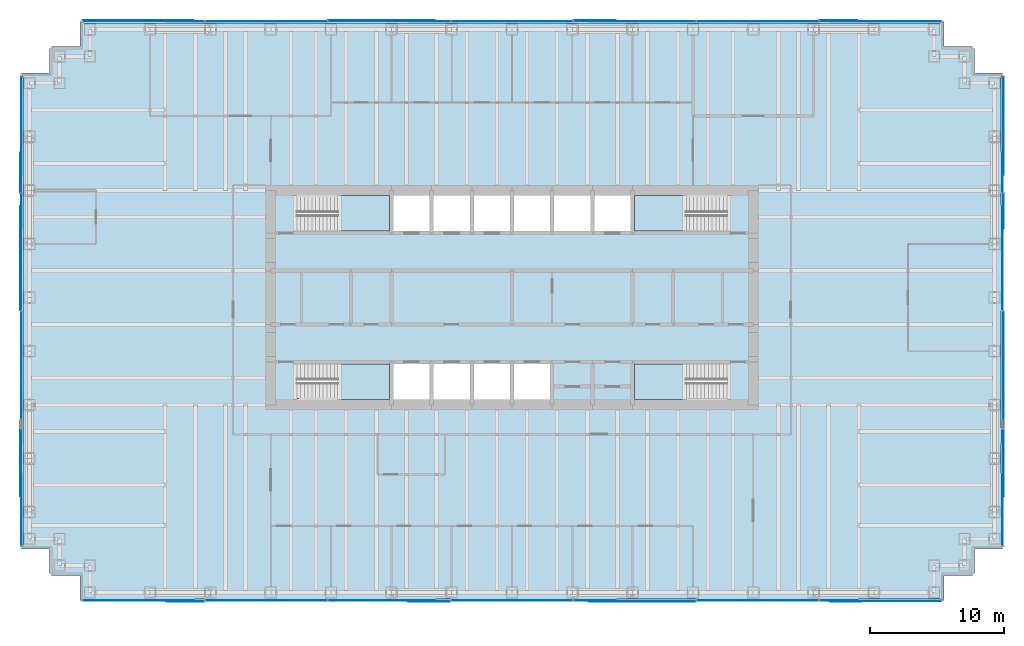
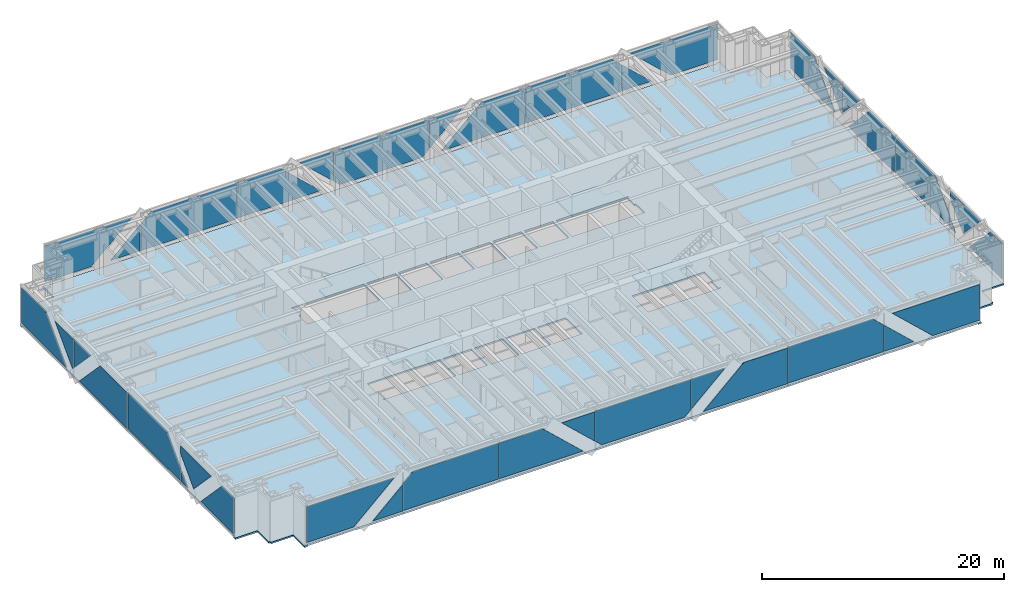
# One storey, part 10 of 17: 38 plates, 5 slabs, 8 elements without a shape of their own.
"""IFC4 building model written with IfcOpenShell, lengths in metres."""

from ifc_helpers import new_model, si_unit, direction, frame, origin, place, context, subcontext, project, spatial, polyline, outline, extrude, material, layer, layer_set, type_object, element, aggregate, save


model = new_model("IFC4")

# Units and contexts
model_context = context("Model", 3, precision=1e-05, world=origin(), true_north=direction((0.0, 1.0)))
body_context = subcontext(model_context, "Body", "Model", "MODEL_VIEW")
ifc_project = project(units=[si_unit("LENGTHUNIT", "METRE"), si_unit("AREAUNIT", "SQUARE_METRE"), si_unit("VOLUMEUNIT", "CUBIC_METRE"), si_unit("PLANEANGLEUNIT", "RADIAN"), si_unit("MASSUNIT", "GRAM", prefix="KILO")], contexts=[model_context])

# Site, building, storey
site_placement = place(None, origin())
site = spatial("IfcSite", under=ifc_project, at=site_placement, CompositionType="ELEMENT")
building_placement = place(site_placement, origin())
building = spatial("IfcBuilding", under=site, at=building_placement, Name="Rheinbord Bourse Tower", CompositionType="ELEMENT")
storey_placement = place(building_placement, frame((0.0, 0.0, 190.0)))
storey = spatial("IfcBuildingStorey", under=building, at=storey_placement, Name="L42", CompositionType="ELEMENT", Elevation=190.0)

# Slab
ifc_material_1 = material(Name="Concrete C30/37", Category="concrete")
ifc_layer_1 = layer(ifc_material_1, 0.159912109375)
ifc_layer_set_1 = layer_set([ifc_layer_1], Name="COMPOSITE FLOOR SLAB 160")
slab_type_1 = type_object("IfcSlabType", Name="COMPOSITE FLOOR SLAB 160", PredefinedType="FLOOR", material=ifc_layer_set_1)
slab_1_placement = place(storey_placement, frame((0.0, 0.0, -0.159912109375)))
element("IfcSlab", 1, at=slab_1_placement, inside=storey, type_object=slab_type_1, Name="Floor slab L42", PredefinedType="FLOOR", context=body_context, shape_type="SweptSolid", body=[
    extrude(outline(polyline([(1.64990234375, 3.39990234375), (1.5, 3.39990234375), (1.5, 5.25), (-0.60009765625, 5.25), (-0.60009765625, 5.550048828125), (-0.5, 5.550048828125), (-0.5, 40.449951171875), (-0.60009765625, 40.449951171875), (-0.60009765625, 40.75), (1.5, 40.75), (1.5, 42.60009765625), (1.64990234375, 42.60009765625), (1.64990234375, 42.75), (3.75, 42.75), (3.75, 44.60009765625), (4.050048828125, 44.60009765625), (4.050048828125, 44.5), (67.949951171875, 44.5), (67.949951171875, 44.60009765625), (68.25, 44.60009765625), (68.25, 42.75), (70.35009765625, 42.75), (70.35009765625, 42.60009765625), (70.5, 42.60009765625), (70.5, 40.75), (72.60009765625, 40.75), (72.60009765625, 40.449951171875), (72.5, 40.449951171875), (72.5, 5.550048828125), (72.60009765625, 5.550048828125), (72.60009765625, 5.25), (70.5, 5.25), (70.5, 3.39990234375), (70.35009765625, 3.39990234375), (70.35009765625, 3.25), (68.25, 3.25), (68.25, 1.39990234375), (67.949951171875, 1.39990234375), (67.949951171875, 1.5), (4.050048828125, 1.5), (4.050048828125, 1.39990234375), (3.75, 1.39990234375), (3.75, 3.25), (1.64990234375, 3.25), (1.64990234375, 3.39990234375)]), holes=[polyline([(19.949951171875, 19.050048828125), (26.85009765625, 19.050048828125), (26.85009765625, 16.39990234375), (19.949951171875, 16.39990234375), (19.949951171875, 16.449951171875), (20.10009765625, 16.449951171875), (20.10009765625, 17.64990234375), (19.949951171875, 17.64990234375), (19.949951171875, 19.050048828125)]), polyline([(19.949951171875, 31.60009765625), (26.85009765625, 31.60009765625), (26.85009765625, 28.949951171875), (19.949951171875, 28.949951171875), (19.949951171875, 30.35009765625), (20.10009765625, 30.35009765625), (20.10009765625, 31.550048828125), (19.949951171875, 31.550048828125), (19.949951171875, 31.60009765625)]), polyline([(52.050048828125, 16.39990234375), (45.14990234375, 16.39990234375), (45.14990234375, 19.050048828125), (52.050048828125, 19.050048828125), (52.050048828125, 17.64990234375), (51.89990234375, 17.64990234375), (51.89990234375, 16.449951171875), (52.050048828125, 16.449951171875), (52.050048828125, 16.39990234375)]), polyline([(52.050048828125, 28.949951171875), (45.14990234375, 28.949951171875), (45.14990234375, 31.60009765625), (52.050048828125, 31.60009765625), (52.050048828125, 31.550048828125), (51.89990234375, 31.550048828125), (51.89990234375, 30.35009765625), (52.050048828125, 30.35009765625), (52.050048828125, 28.949951171875)]), polyline([(27.14990234375, 16.39990234375), (27.14990234375, 19.050048828125), (29.85009765625, 19.050048828125), (29.85009765625, 16.39990234375), (27.14990234375, 16.39990234375)]), polyline([(27.14990234375, 28.949951171875), (27.14990234375, 31.60009765625), (29.85009765625, 31.60009765625), (29.85009765625, 28.949951171875), (27.14990234375, 28.949951171875)]), polyline([(30.14990234375, 16.39990234375), (30.14990234375, 19.050048828125), (32.85009765625, 19.050048828125), (32.85009765625, 16.39990234375), (30.14990234375, 16.39990234375)]), polyline([(30.14990234375, 28.949951171875), (30.14990234375, 31.60009765625), (32.85009765625, 31.60009765625), (32.85009765625, 28.949951171875), (30.14990234375, 28.949951171875)]), polyline([(33.14990234375, 16.39990234375), (33.14990234375, 19.050048828125), (35.85009765625, 19.050048828125), (35.85009765625, 16.39990234375), (33.14990234375, 16.39990234375)]), polyline([(33.14990234375, 28.949951171875), (33.14990234375, 31.60009765625), (35.85009765625, 31.60009765625), (35.85009765625, 28.949951171875), (33.14990234375, 28.949951171875)]), polyline([(36.14990234375, 16.39990234375), (36.14990234375, 19.050048828125), (38.85009765625, 19.050048828125), (38.85009765625, 16.39990234375), (36.14990234375, 16.39990234375)]), polyline([(36.14990234375, 28.949951171875), (36.14990234375, 31.60009765625), (38.85009765625, 31.60009765625), (38.85009765625, 28.949951171875), (36.14990234375, 28.949951171875)]), polyline([(39.14990234375, 28.949951171875), (39.14990234375, 31.60009765625), (41.85009765625, 31.60009765625), (41.85009765625, 28.949951171875), (39.14990234375, 28.949951171875)]), polyline([(42.14990234375, 28.949951171875), (42.14990234375, 31.60009765625), (44.85009765625, 31.60009765625), (44.85009765625, 28.949951171875), (42.14990234375, 28.949951171875)])]), origin(), (0.0, 0.0, 1.0), 0.159912109375),
])

# Curtain wall, plates
ifc_material_2 = material(Name="Dark glass and black aluminium", Category="aluminium")
curtain_wall_type = type_object("IfcCurtainWallType", Name="CW2 DARK GLASS CURTAIN WALL", PredefinedType="USERDEFINED", material=ifc_material_2)
curtain_wall_1_placement = place(storey_placement, origin())
curtain_wall_1 = element("IfcCurtainWall", 2, at=curtain_wall_1_placement, inside=storey, type_object=curtain_wall_type, Name="Curtain wall CW2 S L42", ObjectType="UNITISED CURTAIN WALL", PredefinedType="USERDEFINED")
ifc_material_3 = material(Name="Dark tinted triple insulating glass", Category="glass")
ifc_layer_2 = layer(ifc_material_3, 0.050048828125)
ifc_layer_set_2 = layer_set([ifc_layer_2], Name="CW2 DARK GLASS PANEL")
plate_type = type_object("IfcPlateType", Name="CW2 DARK GLASS PANEL", PredefinedType="CURTAIN_PANEL", material=ifc_layer_set_2)
plate_1_placement = place(storey_placement, frame((3.969970703125, 1.375, 0.300048828125), z_axis=(0.0, 1.0, 0.0), x_axis=(0.0, 0.0, 1.0)))
plate_1 = element("IfcPlate", 3, at=plate_1_placement, type_object=plate_type, Name="CW2 glass facet 1", PredefinedType="CURTAIN_PANEL", context=body_context, shape_type="SweptSolid", body=[
    extrude(outline(polyline([(0.0, 0.0), (3.599853515625, 0.0), (3.599853515625, 8.322021484375), (0.0, 4.465087890625), (0.0, 0.0)])), origin(), (0.0, 0.0, 1.0), 0.050048828125),
])
plate_2_placement = place(storey_placement, frame((13.035888671875, 1.31982421875, 0.300048828125), z_axis=(0.0, 1.0, 0.0), x_axis=(-1.0, 0.0, 0.0)))
plate_2 = element("IfcPlate", 4, at=plate_2_placement, type_object=plate_type, Name="CW2 glass facet 2", PredefinedType="CURTAIN_PANEL", context=body_context, shape_type="SweptSolid", body=[
    extrude(outline(polyline([(0.0, 0.0), (2.827880859375, 0.0), (0.0, 2.639892578125), (0.0, 0.0)])), origin(), (0.0, 0.0, 1.0), 0.050048828125),
])
plate_3_placement = place(storey_placement, frame((22.2080078125, 1.375, 3.89990234375), z_axis=(0.0, 1.0, 0.0), x_axis=(0.0, 0.0, -1.0)))
plate_3 = element("IfcPlate", 5, at=plate_3_placement, type_object=plate_type, Name="CW2 glass facet 1", PredefinedType="CURTAIN_PANEL", context=body_context, shape_type="SweptSolid", body=[
    extrude(outline(polyline([(0.0, 0.0), (3.599853515625, 0.0), (3.599853515625, 9.10205078125), (0.89501953125, 9.10205078125), (0.0, 8.14306640625), (0.0, 0.0)])), origin(), (0.0, 0.0, 1.0), 0.050048828125),
])
plate_4_placement = place(storey_placement, frame((22.278076171875, 1.375, 0.300048828125), z_axis=(0.0, 1.0, 0.0), x_axis=(0.0, 0.0, 1.0)))
plate_4 = element("IfcPlate", 6, at=plate_4_placement, type_object=plate_type, Name="CW2 glass facet 1", PredefinedType="CURTAIN_PANEL", context=body_context, shape_type="SweptSolid", body=[
    extrude(outline(polyline([(0.0, 0.0), (3.599853515625, 0.0), (3.599853515625, 4.156982421875), (0.0, 8.013916015625), (0.0, 0.0)])), origin(), (0.0, 0.0, 1.0), 0.050048828125),
])
plate_5_placement = place(storey_placement, frame((31.37890625, 1.31982421875, 3.89990234375), z_axis=(0.0, 1.0, 0.0), x_axis=(0.0, 0.0, -1.0)))
plate_5 = element("IfcPlate", 7, at=plate_5_placement, type_object=plate_type, Name="CW2 glass facet 2", PredefinedType="CURTAIN_PANEL", context=body_context, shape_type="SweptSolid", body=[
    extrude(outline(polyline([(0.0, 0.0), (2.9599609375, 0.0), (0.0, 3.1708984375), (0.0, 0.0)])), origin(), (0.0, 0.0, 1.0), 0.050048828125),
])
plate_6_placement = place(storey_placement, frame((32.06494140625, 1.375, 0.300048828125), z_axis=(0.0, 1.0, 0.0), x_axis=(-0.731026361921, 0.0, 0.682349220104)))
plate_6 = element("IfcPlate", 8, at=plate_6_placement, type_object=plate_type, Name="CW2 glass facet 1", PredefinedType="CURTAIN_PANEL", context=body_context, shape_type="SweptSolid", body=[
    extrude(outline(polyline([(0.0, 0.0), (0.842529296875, 0.0), (2.90673828125, 2.211181640625), (-3.747314453125, 8.422119140625), (-5.811279296875, 6.210693359375), (-5.753173828125, 5.3701171875), (0.0, 0.0)])), origin(), (0.0, 0.0, 1.0), 0.050048828125),
])
plate_7_placement = place(storey_placement, frame((40.62109375, 1.375, 3.89990234375), z_axis=(0.0, 1.0, 0.0), x_axis=(1.0, 0.0, 0.0)))
plate_7 = element("IfcPlate", 9, at=plate_7_placement, type_object=plate_type, Name="CW2 glass facet 1", PredefinedType="CURTAIN_PANEL", context=body_context, shape_type="SweptSolid", body=[
    extrude(outline(polyline([(0.0, 0.0), (3.1708984375, 0.0), (0.0, 2.9599609375), (0.0, 0.0)])), origin(), (0.0, 0.0, 1.0), 0.050048828125),
])
plate_8_placement = place(storey_placement, frame((49.721923828125, 1.31982421875, 3.89990234375), z_axis=(0.0, 1.0, 0.0), x_axis=(0.0, 0.0, -1.0)))
plate_8 = element("IfcPlate", 10, at=plate_8_placement, type_object=plate_type, Name="CW2 glass facet 2", PredefinedType="CURTAIN_PANEL", context=body_context, shape_type="SweptSolid", body=[
    extrude(outline(polyline([(0.0, 0.0), (3.599853515625, 0.0), (3.599853515625, 8.013916015625), (0.0, 4.156982421875), (0.0, 0.0)])), origin(), (0.0, 0.0, 1.0), 0.050048828125),
])
plate_9_placement = place(storey_placement, frame((58.89404296875, 1.375, 0.300048828125), z_axis=(0.0, 1.0, 0.0), x_axis=(-1.0, 0.0, 0.0)))
plate_9 = element("IfcPlate", 11, at=plate_9_placement, type_object=plate_type, Name="CW2 glass facet 1", PredefinedType="CURTAIN_PANEL", context=body_context, shape_type="SweptSolid", body=[
    extrude(outline(polyline([(0.0, 0.0), (9.10205078125, 0.0), (9.10205078125, 3.599853515625), (0.958984375, 3.599853515625), (0.0, 2.704833984375), (0.0, 0.0)])), origin(), (0.0, 0.0, 1.0), 0.050048828125),
])
plate_10_placement = place(storey_placement, frame((58.964111328125, 1.375, 0.300048828125), z_axis=(0.0, 1.0, 0.0), x_axis=(0.0, 0.0, 1.0)))
plate_10 = element("IfcPlate", 12, at=plate_10_placement, type_object=plate_type, Name="CW2 glass facet 1", PredefinedType="CURTAIN_PANEL", context=body_context, shape_type="SweptSolid", body=[
    extrude(outline(polyline([(0.0, 0.0), (2.639892578125, 0.0), (0.0, 2.827880859375), (0.0, 0.0)])), origin(), (0.0, 0.0, 1.0), 0.050048828125),
])
plate_11_placement = place(storey_placement, frame((68.030029296875, 1.31982421875, 3.89990234375), z_axis=(0.0, 1.0, 0.0), x_axis=(0.0, 0.0, -1.0)))
plate_11 = element("IfcPlate", 13, at=plate_11_placement, type_object=plate_type, Name="CW2 glass facet 2", PredefinedType="CURTAIN_PANEL", context=body_context, shape_type="SweptSolid", body=[
    extrude(outline(polyline([(0.0, 0.0), (3.599853515625, 0.0), (3.599853515625, 4.465087890625), (0.0, 8.322021484375), (0.0, 0.0)])), origin(), (0.0, 0.0, 1.0), 0.050048828125),
])
aggregate(curtain_wall_1, [plate_1, plate_2, plate_3, plate_4, plate_5, plate_6, plate_7, plate_8, plate_9, plate_10, plate_11])

curtain_wall_2_placement = place(storey_placement, origin())
curtain_wall_2 = element("IfcCurtainWall", 14, at=curtain_wall_2_placement, inside=storey, type_object=curtain_wall_type, Name="Curtain wall CW2 E L42", ObjectType="UNITISED CURTAIN WALL", PredefinedType="USERDEFINED")
plate_12_placement = place(storey_placement, frame((72.625, 5.469970703125, 0.300048828125), z_axis=(-1.0, 0.0, 0.0), x_axis=(0.0, 0.0, 1.0)))
plate_12 = element("IfcPlate", 15, at=plate_12_placement, type_object=plate_type, Name="CW2 glass facet 1", PredefinedType="CURTAIN_PANEL", context=body_context, shape_type="SweptSolid", body=[
    extrude(outline(polyline([(0.0, 0.0), (3.599853515625, 0.0), (3.599853515625, 1.97998046875), (0.0, 5.408935546875), (0.0, 0.0)])), origin(), (0.0, 0.0, 1.0), 0.050048828125),
])
plate_13_placement = place(storey_placement, frame((72.68017578125, 14.1650390625, 3.89990234375), z_axis=(-1.0, 0.0, 0.0), x_axis=(0.0, 0.0, -1.0)))
plate_13 = element("IfcPlate", 16, at=plate_13_placement, type_object=plate_type, Name="CW2 glass facet 2", PredefinedType="CURTAIN_PANEL", context=body_context, shape_type="SweptSolid", body=[
    extrude(outline(polyline([(0.0, 0.0), (0.75, 0.0), (3.02294921875, 2.1650390625), (0.0, 5.0439453125), (0.0, 0.0)])), origin(), (0.0, 0.0, 1.0), 0.050048828125),
])
plate_14_placement = place(storey_placement, frame((72.625, 14.1650390625, 0.300048828125), z_axis=(-1.0, 0.0, 0.0), x_axis=(0.0, -1.0, 0.0)))
plate_14 = element("IfcPlate", 17, at=plate_14_placement, type_object=plate_type, Name="CW2 glass facet 3", PredefinedType="CURTAIN_PANEL", context=body_context, shape_type="SweptSolid", body=[
    extrude(outline(polyline([(0.0, 0.0), (1.0439453125, 0.0), (0.0, 1.095947265625), (0.0, 0.0)])), origin(), (0.0, 0.0, 1.0), 0.050048828125),
])
plate_15_placement = place(storey_placement, frame((72.68017578125, 22.965087890625, 3.89990234375), z_axis=(-1.0, 0.0, 0.0), x_axis=(0.0, 0.0, -1.0)))
plate_15 = element("IfcPlate", 18, at=plate_15_placement, type_object=plate_type, Name="CW2 glass facet 2", PredefinedType="CURTAIN_PANEL", context=body_context, shape_type="SweptSolid", body=[
    extrude(outline(polyline([(0.0, 0.0), (3.599853515625, 0.0), (3.599853515625, 8.72998046875), (2.430908203125, 8.72998046875), (0.0, 6.4150390625), (0.0, 0.0)])), origin(), (0.0, 0.0, 1.0), 0.050048828125),
])
plate_16_placement = place(storey_placement, frame((72.625, 23.034912109375, 0.300048828125), z_axis=(-1.0, 0.0, 0.0), x_axis=(0.0, 0.0, 1.0)))
plate_16 = element("IfcPlate", 19, at=plate_16_placement, type_object=plate_type, Name="CW2 glass facet 1", PredefinedType="CURTAIN_PANEL", context=body_context, shape_type="SweptSolid", body=[
    extrude(outline(polyline([(0.0, 0.0), (3.599853515625, 0.0), (3.599853515625, 4.4150390625), (0.0, 7.843994140625), (0.0, 0.0)])), origin(), (0.0, 0.0, 1.0), 0.050048828125),
])
plate_17_placement = place(storey_placement, frame((72.68017578125, 31.764892578125, 3.89990234375), z_axis=(-1.0, 0.0, 0.0), x_axis=(0.0, 0.0, -1.0)))
plate_17 = element("IfcPlate", 20, at=plate_17_placement, type_object=plate_type, Name="CW2 glass facet 2", PredefinedType="CURTAIN_PANEL", context=body_context, shape_type="SweptSolid", body=[
    extrude(outline(polyline([(0.0, 0.0), (2.77587890625, 0.0), (0.0, 2.643798828125), (0.0, 0.0)])), origin(), (0.0, 0.0, 1.0), 0.050048828125),
])
plate_18_placement = place(storey_placement, frame((72.625, 31.8349609375, 3.89990234375), z_axis=(-1.0, 0.0, 0.0), x_axis=(0.0, 1.0, 0.0)))
plate_18 = element("IfcPlate", 21, at=plate_18_placement, type_object=plate_type, Name="CW2 glass facet 1", PredefinedType="CURTAIN_PANEL", context=body_context, shape_type="SweptSolid", body=[
    extrude(outline(polyline([(0.0, 0.0), (3.0439453125, 0.0), (0.1650390625, 3.02294921875), (0.0, 2.849853515625), (0.0, 0.0)])), origin(), (0.0, 0.0, 1.0), 0.050048828125),
])
plate_19_placement = place(storey_placement, frame((72.68017578125, 40.530029296875, 3.89990234375), z_axis=(-1.0, 0.0, 0.0), x_axis=(0.0, 0.0, -1.0)))
plate_19 = element("IfcPlate", 22, at=plate_19_placement, type_object=plate_type, Name="CW2 glass facet 2", PredefinedType="CURTAIN_PANEL", context=body_context, shape_type="SweptSolid", body=[
    extrude(outline(polyline([(0.0, 0.0), (3.599853515625, 0.0), (3.599853515625, 7.408935546875), (0.0, 3.97998046875), (0.0, 0.0)])), origin(), (0.0, 0.0, 1.0), 0.050048828125),
])
aggregate(curtain_wall_2, [plate_12, plate_13, plate_14, plate_15, plate_16, plate_17, plate_18, plate_19])

curtain_wall_3_placement = place(storey_placement, origin())
curtain_wall_3 = element("IfcCurtainWall", 23, at=curtain_wall_3_placement, inside=storey, type_object=curtain_wall_type, Name="Curtain wall CW2 N L42", ObjectType="UNITISED CURTAIN WALL", PredefinedType="USERDEFINED")
plate_20_placement = place(storey_placement, frame((68.030029296875, 44.625, 0.300048828125), z_axis=(0.0, -1.0, 0.0), x_axis=(0.0, 0.0, 1.0)))
plate_20 = element("IfcPlate", 24, at=plate_20_placement, type_object=plate_type, Name="CW2 glass facet 1", PredefinedType="CURTAIN_PANEL", context=body_context, shape_type="SweptSolid", body=[
    extrude(outline(polyline([(0.0, 0.0), (3.599853515625, 0.0), (3.599853515625, 8.322021484375), (0.0, 4.465087890625), (0.0, 0.0)])), origin(), (0.0, 0.0, 1.0), 0.050048828125),
])
plate_21_placement = place(storey_placement, frame((58.964111328125, 44.68017578125, 0.300048828125), z_axis=(0.0, -1.0, 0.0), x_axis=(1.0, 0.0, 0.0)))
plate_21 = element("IfcPlate", 25, at=plate_21_placement, type_object=plate_type, Name="CW2 glass facet 2", PredefinedType="CURTAIN_PANEL", context=body_context, shape_type="SweptSolid", body=[
    extrude(outline(polyline([(0.0, 0.0), (2.827880859375, 0.0), (0.0, 2.639892578125), (0.0, 0.0)])), origin(), (0.0, 0.0, 1.0), 0.050048828125),
])
plate_22_placement = place(storey_placement, frame((49.7919921875, 44.625, 3.89990234375), z_axis=(0.0, -1.0, 0.0), x_axis=(0.0, 0.0, -1.0)))
plate_22 = element("IfcPlate", 26, at=plate_22_placement, type_object=plate_type, Name="CW2 glass facet 1", PredefinedType="CURTAIN_PANEL", context=body_context, shape_type="SweptSolid", body=[
    extrude(outline(polyline([(0.0, 0.0), (3.599853515625, 0.0), (3.599853515625, 9.10205078125), (0.89501953125, 9.10205078125), (0.0, 8.14306640625), (0.0, 0.0)])), origin(), (0.0, 0.0, 1.0), 0.050048828125),
])
plate_23_placement = place(storey_placement, frame((49.721923828125, 44.625, 0.300048828125), z_axis=(0.0, -1.0, 0.0), x_axis=(0.0, 0.0, 1.0)))
plate_23 = element("IfcPlate", 27, at=plate_23_placement, type_object=plate_type, Name="CW2 glass facet 1", PredefinedType="CURTAIN_PANEL", context=body_context, shape_type="SweptSolid", body=[
    extrude(outline(polyline([(0.0, 0.0), (3.599853515625, 0.0), (3.599853515625, 4.156982421875), (0.0, 8.013916015625), (0.0, 0.0)])), origin(), (0.0, 0.0, 1.0), 0.050048828125),
])
plate_24_placement = place(storey_placement, frame((40.62109375, 44.68017578125, 3.89990234375), z_axis=(0.0, -1.0, 0.0), x_axis=(0.0, 0.0, -1.0)))
plate_24 = element("IfcPlate", 28, at=plate_24_placement, type_object=plate_type, Name="CW2 glass facet 2", PredefinedType="CURTAIN_PANEL", context=body_context, shape_type="SweptSolid", body=[
    extrude(outline(polyline([(0.0, 0.0), (2.9599609375, 0.0), (0.0, 3.1708984375), (0.0, 0.0)])), origin(), (0.0, 0.0, 1.0), 0.050048828125),
])
plate_25_placement = place(storey_placement, frame((39.93505859375, 44.625, 0.300048828125), z_axis=(0.0, -1.0, 0.0), x_axis=(0.731026361921, 0.0, 0.682349220104)))
plate_25 = element("IfcPlate", 29, at=plate_25_placement, type_object=plate_type, Name="CW2 glass facet 1", PredefinedType="CURTAIN_PANEL", context=body_context, shape_type="SweptSolid", body=[
    extrude(outline(polyline([(0.0, 0.0), (0.842529296875, 0.0), (2.90673828125, 2.211181640625), (-3.747314453125, 8.422119140625), (-5.811279296875, 6.210693359375), (-5.753173828125, 5.3701171875), (0.0, 0.0)])), origin(), (0.0, 0.0, 1.0), 0.050048828125),
])
plate_26_placement = place(storey_placement, frame((31.37890625, 44.625, 3.89990234375), z_axis=(0.0, -1.0, 0.0), x_axis=(-1.0, 0.0, 0.0)))
plate_26 = element("IfcPlate", 30, at=plate_26_placement, type_object=plate_type, Name="CW2 glass facet 1", PredefinedType="CURTAIN_PANEL", context=body_context, shape_type="SweptSolid", body=[
    extrude(outline(polyline([(0.0, 0.0), (3.1708984375, 0.0), (0.0, 2.9599609375), (0.0, 0.0)])), origin(), (0.0, 0.0, 1.0), 0.050048828125),
])
plate_27_placement = place(storey_placement, frame((22.278076171875, 44.68017578125, 3.89990234375), z_axis=(0.0, -1.0, 0.0), x_axis=(0.0, 0.0, -1.0)))
plate_27 = element("IfcPlate", 31, at=plate_27_placement, type_object=plate_type, Name="CW2 glass facet 2", PredefinedType="CURTAIN_PANEL", context=body_context, shape_type="SweptSolid", body=[
    extrude(outline(polyline([(0.0, 0.0), (3.599853515625, 0.0), (3.599853515625, 8.013916015625), (0.0, 4.156982421875), (0.0, 0.0)])), origin(), (0.0, 0.0, 1.0), 0.050048828125),
])
plate_28_placement = place(storey_placement, frame((13.10595703125, 44.625, 0.300048828125), z_axis=(0.0, -1.0, 0.0), x_axis=(1.0, 0.0, 0.0)))
plate_28 = element("IfcPlate", 32, at=plate_28_placement, type_object=plate_type, Name="CW2 glass facet 1", PredefinedType="CURTAIN_PANEL", context=body_context, shape_type="SweptSolid", body=[
    extrude(outline(polyline([(0.0, 0.0), (9.10205078125, 0.0), (9.10205078125, 3.599853515625), (0.958984375, 3.599853515625), (0.0, 2.704833984375), (0.0, 0.0)])), origin(), (0.0, 0.0, 1.0), 0.050048828125),
])
plate_29_placement = place(storey_placement, frame((13.035888671875, 44.625, 0.300048828125), z_axis=(0.0, -1.0, 0.0), x_axis=(0.0, 0.0, 1.0)))
plate_29 = element("IfcPlate", 33, at=plate_29_placement, type_object=plate_type, Name="CW2 glass facet 1", PredefinedType="CURTAIN_PANEL", context=body_context, shape_type="SweptSolid", body=[
    extrude(outline(polyline([(0.0, 0.0), (2.639892578125, 0.0), (0.0, 2.827880859375), (0.0, 0.0)])), origin(), (0.0, 0.0, 1.0), 0.050048828125),
])
plate_30_placement = place(storey_placement, frame((3.969970703125, 44.68017578125, 3.89990234375), z_axis=(0.0, -1.0, 0.0), x_axis=(0.0, 0.0, -1.0)))
plate_30 = element("IfcPlate", 34, at=plate_30_placement, type_object=plate_type, Name="CW2 glass facet 2", PredefinedType="CURTAIN_PANEL", context=body_context, shape_type="SweptSolid", body=[
    extrude(outline(polyline([(0.0, 0.0), (3.599853515625, 0.0), (3.599853515625, 4.465087890625), (0.0, 8.322021484375), (0.0, 0.0)])), origin(), (0.0, 0.0, 1.0), 0.050048828125),
])
aggregate(curtain_wall_3, [plate_20, plate_21, plate_22, plate_23, plate_24, plate_25, plate_26, plate_27, plate_28, plate_29, plate_30])

curtain_wall_4_placement = place(storey_placement, origin())
curtain_wall_4 = element("IfcCurtainWall", 35, at=curtain_wall_4_placement, inside=storey, type_object=curtain_wall_type, Name="Curtain wall CW2 W L42", ObjectType="UNITISED CURTAIN WALL", PredefinedType="USERDEFINED")
plate_31_placement = place(storey_placement, frame((-0.625, 40.530029296875, 0.300048828125), z_axis=(1.0, 0.0, 0.0), x_axis=(0.0, 0.0, 1.0)))
plate_31 = element("IfcPlate", 36, at=plate_31_placement, type_object=plate_type, Name="CW2 glass facet 1", PredefinedType="CURTAIN_PANEL", context=body_context, shape_type="SweptSolid", body=[
    extrude(outline(polyline([(0.0, 0.0), (3.599853515625, 0.0), (3.599853515625, 3.97998046875), (0.0, 7.408935546875), (0.0, 0.0)])), origin(), (0.0, 0.0, 1.0), 0.050048828125),
])
plate_32_placement = place(storey_placement, frame((-0.68017578125, 31.8349609375, 3.89990234375), z_axis=(1.0, 0.0, 0.0), x_axis=(0.0, 0.0, -1.0)))
plate_32 = element("IfcPlate", 37, at=plate_32_placement, type_object=plate_type, Name="CW2 glass facet 2", PredefinedType="CURTAIN_PANEL", context=body_context, shape_type="SweptSolid", body=[
    extrude(outline(polyline([(0.0, 0.0), (2.849853515625, 0.0), (3.02294921875, 0.1650390625), (0.0, 3.0439453125), (0.0, 0.0)])), origin(), (0.0, 0.0, 1.0), 0.050048828125),
])
plate_33_placement = place(storey_placement, frame((-0.625, 31.764892578125, 3.89990234375), z_axis=(1.0, 0.0, 0.0), x_axis=(0.0, -1.0, 0.0)))
plate_33 = element("IfcPlate", 38, at=plate_33_placement, type_object=plate_type, Name="CW2 glass facet 1", PredefinedType="CURTAIN_PANEL", context=body_context, shape_type="SweptSolid", body=[
    extrude(outline(polyline([(0.0, 0.0), (2.643798828125, 0.0), (0.0, 2.77587890625), (0.0, 0.0)])), origin(), (0.0, 0.0, 1.0), 0.050048828125),
])
plate_34_placement = place(storey_placement, frame((-0.68017578125, 23.034912109375, 3.89990234375), z_axis=(1.0, 0.0, 0.0), x_axis=(0.0, 0.0, -1.0)))
plate_34 = element("IfcPlate", 39, at=plate_34_placement, type_object=plate_type, Name="CW2 glass facet 2", PredefinedType="CURTAIN_PANEL", context=body_context, shape_type="SweptSolid", body=[
    extrude(outline(polyline([(0.0, 0.0), (3.599853515625, 0.0), (3.599853515625, 7.843994140625), (0.0, 4.4150390625), (0.0, 0.0)])), origin(), (0.0, 0.0, 1.0), 0.050048828125),
])
plate_35_placement = place(storey_placement, frame((-0.625, 14.235107421875, 0.300048828125), z_axis=(1.0, 0.0, 0.0), x_axis=(0.0, 1.0, 0.0)))
plate_35 = element("IfcPlate", 40, at=plate_35_placement, type_object=plate_type, Name="CW2 glass facet 1", PredefinedType="CURTAIN_PANEL", context=body_context, shape_type="SweptSolid", body=[
    extrude(outline(polyline([(0.0, 0.0), (8.72998046875, 0.0), (8.72998046875, 3.599853515625), (2.31494140625, 3.599853515625), (0.0, 1.1689453125), (0.0, 0.0)])), origin(), (0.0, 0.0, 1.0), 0.050048828125),
])
plate_36_placement = place(storey_placement, frame((-0.625, 14.1650390625, 0.300048828125), z_axis=(1.0, 0.0, 0.0), x_axis=(0.0, 0.0, 1.0)))
plate_36 = element("IfcPlate", 41, at=plate_36_placement, type_object=plate_type, Name="CW2 glass facet 1", PredefinedType="CURTAIN_PANEL", context=body_context, shape_type="SweptSolid", body=[
    extrude(outline(polyline([(0.0, 0.0), (1.095947265625, 0.0), (0.0, 1.0439453125), (0.0, 0.0)])), origin(), (0.0, 0.0, 1.0), 0.050048828125),
])
plate_37_placement = place(storey_placement, frame((-0.68017578125, 14.1650390625, 3.89990234375), z_axis=(1.0, 0.0, 0.0), x_axis=(0.0, -1.0, 0.0)))
plate_37 = element("IfcPlate", 42, at=plate_37_placement, type_object=plate_type, Name="CW2 glass facet 2", PredefinedType="CURTAIN_PANEL", context=body_context, shape_type="SweptSolid", body=[
    extrude(outline(polyline([(0.0, 0.0), (5.0439453125, 0.0), (2.1650390625, 3.02294921875), (0.0, 0.75), (0.0, 0.0)])), origin(), (0.0, 0.0, 1.0), 0.050048828125),
])
plate_38_placement = place(storey_placement, frame((-0.625, 5.469970703125, 3.89990234375), z_axis=(1.0, 0.0, 0.0), x_axis=(0.0, 0.0, -1.0)))
plate_38 = element("IfcPlate", 43, at=plate_38_placement, type_object=plate_type, Name="CW2 glass facet 3", PredefinedType="CURTAIN_PANEL", context=body_context, shape_type="SweptSolid", body=[
    extrude(outline(polyline([(0.0, 0.0), (3.599853515625, 0.0), (3.599853515625, 5.408935546875), (0.0, 1.97998046875), (0.0, 0.0)])), origin(), (0.0, 0.0, 1.0), 0.050048828125),
])
aggregate(curtain_wall_4, [plate_31, plate_32, plate_33, plate_34, plate_35, plate_36, plate_37, plate_38])

# Stair, slab
ifc_material_4 = material(Name="Concrete C30/37", Category="concrete")
stair_type = type_object("IfcStairType", Name="CORE STAIR HALF TURN 4200", PredefinedType="HALF_TURN_STAIR", material=ifc_material_4)
stair_1_placement = place(storey_placement, origin())
stair_1 = element("IfcStair", 44, at=stair_1_placement, inside=storey, type_object=stair_type, Name="Stair ST1 L42, type CS6", PredefinedType="HALF_TURN_STAIR")
ifc_material_5 = material(Name="Concrete C30/37", Category="concrete")
ifc_layer_3 = layer(ifc_material_5, 0.199951171875)
ifc_layer_set_3 = layer_set([ifc_layer_3], Name="STAIR LANDING 200")
slab_type_2 = type_object("IfcSlabType", Name="STAIR LANDING 200", PredefinedType="LANDING", material=ifc_layer_set_3)
slab_2_placement = place(storey_placement, frame((0.0, 0.0, 1.89990234375)))
slab_2 = element("IfcSlab", 45, at=slab_2_placement, type_object=slab_type_2, Name="Half landing ST1 L42", PredefinedType="LANDING", context=body_context, shape_type="SweptSolid", body=[
    extrude(outline(polyline([(23.030029296875, 16.39990234375), (26.85009765625, 16.39990234375), (26.85009765625, 19.050048828125), (21.748046875, 19.050048828125), (21.748046875, 17.85009765625), (23.030029296875, 17.85009765625), (23.030029296875, 16.39990234375)])), origin(), (0.0, 0.0, 1.0), 0.2001953125),
])
aggregate(stair_1, [slab_2])

stair_2_placement = place(storey_placement, origin())
stair_2 = element("IfcStair", 46, at=stair_2_placement, inside=storey, type_object=stair_type, Name="Stair ST2 L42, type CS6", PredefinedType="HALF_TURN_STAIR")
slab_3_placement = place(storey_placement, frame((0.0, 0.0, 1.89990234375)))
slab_3 = element("IfcSlab", 47, at=slab_3_placement, type_object=slab_type_2, Name="Half landing ST2 L42", PredefinedType="LANDING", context=body_context, shape_type="SweptSolid", body=[
    extrude(outline(polyline([(21.748046875, 28.949951171875), (26.85009765625, 28.949951171875), (26.85009765625, 31.60009765625), (23.030029296875, 31.60009765625), (23.030029296875, 30.14990234375), (21.748046875, 30.14990234375), (21.748046875, 28.949951171875)])), origin(), (0.0, 0.0, 1.0), 0.2001953125),
])
aggregate(stair_2, [slab_3])

stair_3_placement = place(storey_placement, origin())
stair_3 = element("IfcStair", 48, at=stair_3_placement, inside=storey, type_object=stair_type, Name="Stair ST3 L42, type CS6", PredefinedType="HALF_TURN_STAIR")
slab_4_placement = place(storey_placement, frame((0.0, 0.0, 1.89990234375)))
slab_4 = element("IfcSlab", 49, at=slab_4_placement, type_object=slab_type_2, Name="Half landing ST3 L42", PredefinedType="LANDING", context=body_context, shape_type="SweptSolid", body=[
    extrude(outline(polyline([(45.14990234375, 16.39990234375), (48.969970703125, 16.39990234375), (48.969970703125, 17.85009765625), (50.251953125, 17.85009765625), (50.251953125, 19.050048828125), (45.14990234375, 19.050048828125), (45.14990234375, 16.39990234375)])), origin(), (0.0, 0.0, 1.0), 0.2001953125),
])
aggregate(stair_3, [slab_4])

stair_4_placement = place(storey_placement, origin())
stair_4 = element("IfcStair", 50, at=stair_4_placement, inside=storey, type_object=stair_type, Name="Stair ST4 L42, type CS6", PredefinedType="HALF_TURN_STAIR")
slab_5_placement = place(storey_placement, frame((0.0, 0.0, 1.89990234375)))
slab_5 = element("IfcSlab", 51, at=slab_5_placement, type_object=slab_type_2, Name="Half landing ST4 L42", PredefinedType="LANDING", context=body_context, shape_type="SweptSolid", body=[
    extrude(outline(polyline([(45.14990234375, 28.949951171875), (50.251953125, 28.949951171875), (50.251953125, 30.14990234375), (48.969970703125, 30.14990234375), (48.969970703125, 31.60009765625), (45.14990234375, 31.60009765625), (45.14990234375, 28.949951171875)])), origin(), (0.0, 0.0, 1.0), 0.2001953125),
])
aggregate(stair_4, [slab_5])

save(model, "model.ifc")
